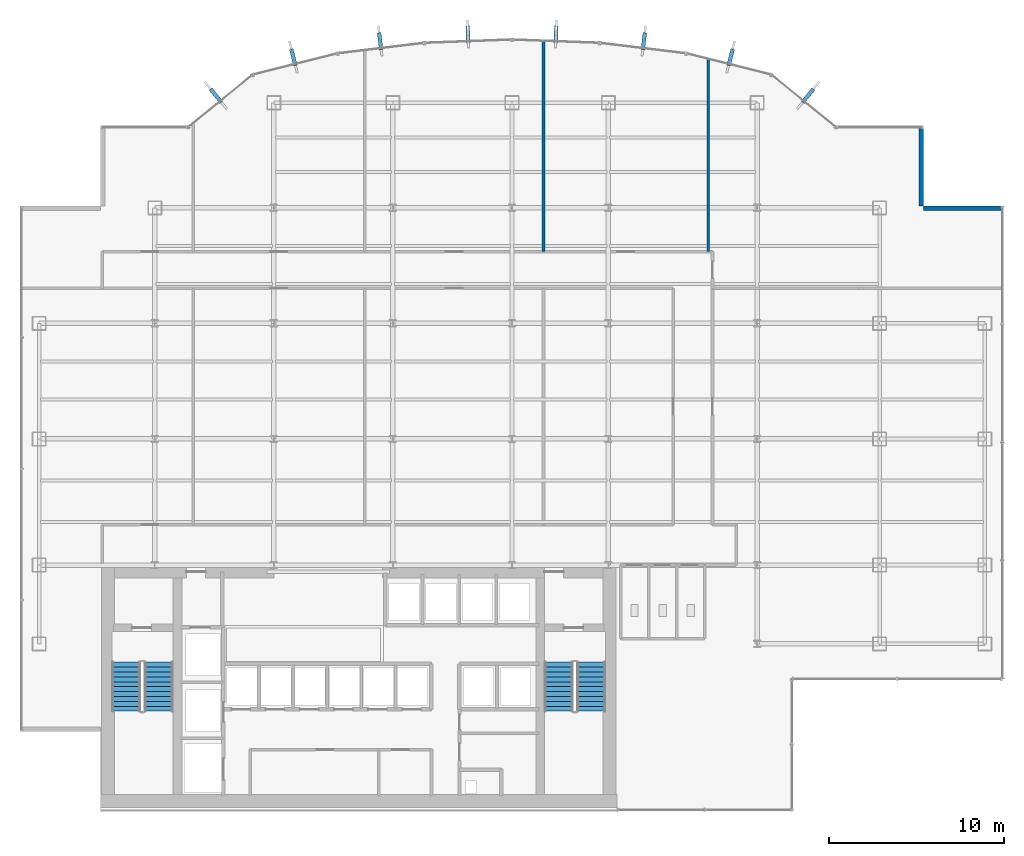
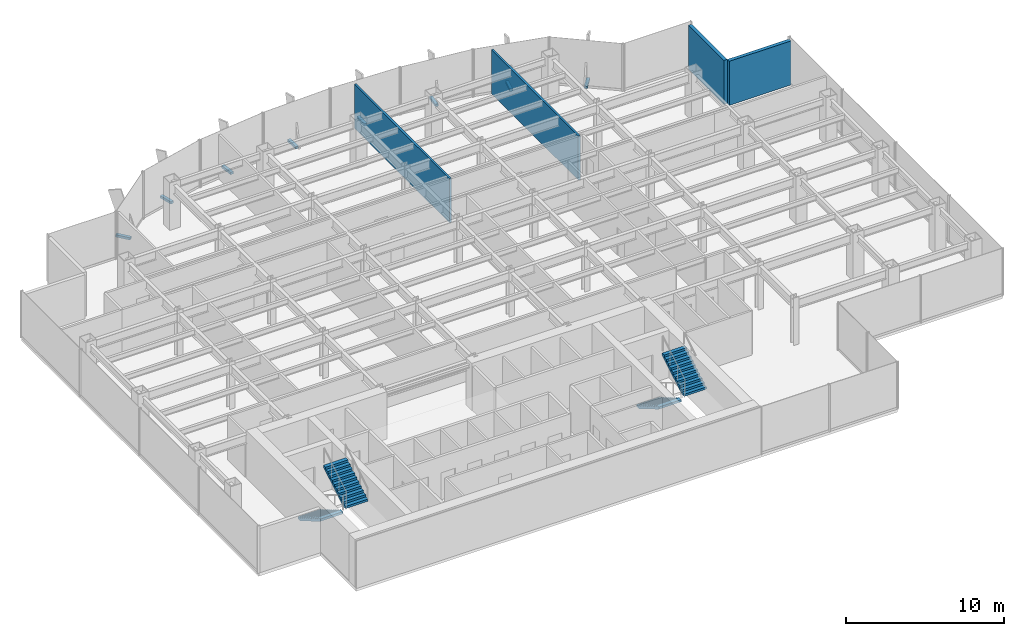
# One storey, part 23 of 26: 8 discrete accessories, 4 stair flights, 4 walls, 2 elements without a shape of their own.
"""IFC4 building model written with IfcOpenShell, lengths in metres."""

from ifc_helpers import new_model, si_unit, derived_unit, direction, frame, frame_2d, origin, origin_2d, place, context, subcontext, project, spatial, polyline, rectangle, outline, extrude, source, transform, mapped, material, layer, layer_set, type_object, element, aggregate, save


model = new_model("IFC4")

# Units and contexts
model_context = context("Model", 3, precision=1e-05, world=origin(), true_north=direction((0.0, 1.0)))
body_context = subcontext(model_context, "Body", "Model", "MODEL_VIEW")
ifc_project = project(units=[si_unit("LENGTHUNIT", "METRE"), si_unit("AREAUNIT", "SQUARE_METRE"), si_unit("VOLUMEUNIT", "CUBIC_METRE"), si_unit("PLANEANGLEUNIT", "RADIAN"), si_unit("MASSUNIT", "GRAM", prefix="KILO"), derived_unit("THERMALTRANSMITTANCEUNIT", [(si_unit("POWERUNIT", "WATT"), 1), (si_unit("LENGTHUNIT", "METRE"), -2), (si_unit("THERMODYNAMICTEMPERATUREUNIT", "KELVIN"), -1)])], contexts=[model_context])

# Site, building, storey
site_placement = place(None, origin())
site = spatial("IfcSite", under=ifc_project, at=site_placement, CompositionType="ELEMENT")
building_placement = place(site_placement, origin())
building = spatial("IfcBuilding", under=site, at=building_placement, Name="Skarnbrae Concourse Arena and Tower", CompositionType="ELEMENT")
storey_placement = place(building_placement, frame((0.0, 0.0, 121.5)))
storey = spatial("IfcBuildingStorey", under=building, at=storey_placement, Name="L30", CompositionType="ELEMENT", Elevation=121.5)

# Walls
ifc_material_1 = material(Name="Precast concrete 40 MPa (C40/50)", Category="concrete")
ifc_layer_1 = layer(ifc_material_1, 0.25)
ifc_layer_set_1 = layer_set([ifc_layer_1], Name="Precast concrete 40 MPa (C40/50)")
wall_type_1 = type_object("IfcWallType", Name="WALL-EXT-SPANDREL-250", PredefinedType="STANDARD", material=ifc_layer_set_1)
shared_shape_1 = source(origin(), body_context, "Body", "SweptSolid", [
    extrude(rectangle(XDim=4.5, YDim=0.25, at=frame_2d((2.25, 0.0))), origin(), (0.0, 0.0, 1.0), 3.39990234375),
])
for number, where, z_axis, x_axis, name in (
    (1, (56.0, 34.375, 0.0), (0.0, 0.0, 1.0), (-1.0, 0.0, 0.0), "L30 Notched corner insulated return wall 05"),
    (2, (51.375, 34.5, 0.0), (0.0, 0.0, 1.0), (0.0, 1.0, 0.0), "L30 Notched corner insulated return wall 06"),
):
    element("IfcWall", number, at=place(storey_placement, frame(where, z_axis=z_axis, x_axis=x_axis)), inside=storey, type_object=wall_type_1, Name=name, PredefinedType="STANDARD", context=body_context, shape_type="MappedRepresentation", body=[
        mapped(shared_shape_1, transform((0.0, 0.0, 0.0))),
    ])
ifc_material_2 = material(Name="Gypsum board on cold-formed steel studs", Category="steel")
ifc_layer_2 = layer(ifc_material_2, 0.14990234375)
ifc_layer_set_2 = layer_set([ifc_layer_2], Name="Gypsum board on cold-formed steel studs")
wall_type_2 = type_object("IfcWallType", Name="WALL-PART-150", PredefinedType="PARTITIONING", material=ifc_layer_set_2)
shared_shape_2 = source(origin(), body_context, "Body", "SweptSolid", [
    extrude(rectangle(XDim=12.01318359375, YDim=0.14990234375, at=frame_2d((6.006591796875, 0.0))), origin(), (0.0, 0.0, 1.0), 3.39990234375),
])
wall_1_placement = place(storey_placement, frame((29.800048828125, 43.9130859375, 0.0), z_axis=(0.0, 0.0, 1.0), x_axis=(0.0, -1.0, 0.0)))
element("IfcWall", 3, at=wall_1_placement, inside=storey, type_object=wall_type_2, Name="L30 Interior partition wall W-L30-DEM-18", PredefinedType="PARTITIONING", context=body_context, shape_type="MappedRepresentation", body=[
    mapped(shared_shape_2, transform((0.0, 0.0, 0.0))),
])
shared_shape_3 = source(origin(), body_context, "Body", "SweptSolid", [
    extrude(rectangle(XDim=10.98193359375, YDim=0.14990234375, at=frame_2d((5.490966796875, 0.0))), origin(), (0.0, 0.0, 1.0), 3.39990234375),
])
wall_2_placement = place(storey_placement, frame((39.199951171875, 42.8818359375, 0.0), z_axis=(0.0, 0.0, 1.0), x_axis=(0.0, -1.0, 0.0)))
element("IfcWall", 4, at=wall_2_placement, inside=storey, type_object=wall_type_2, Name="L30 Interior partition wall W-L30-DEM-19", PredefinedType="PARTITIONING", context=body_context, shape_type="MappedRepresentation", body=[
    mapped(shared_shape_3, transform((0.0, 0.0, 0.0))),
])

# Stair, stair flights
ifc_material_3 = material(Name="Concrete 40 MPa (C40/50)", Category="concrete")
stair_type = type_object("IfcStairType", Name="STAIR-DOGLEG-1650", PredefinedType="HALF_TURN_STAIR", material=ifc_material_3)
stair_1_placement = place(storey_placement, origin())
stair_1 = element("IfcStair", 5, at=stair_1_placement, inside=storey, type_object=stair_type, Name="L30 Protected Exit Stair ST-1", PredefinedType="HALF_TURN_STAIR")
stair_flight_type = type_object("IfcStairFlightType", Name="FLIGHT-STRAIGHT-1650", PredefinedType="STRAIGHT", material=ifc_material_3)
shared_shape_4 = source(origin(), body_context, "Body", "SweptSolid", [
    extrude(outline(polyline([(0.0, 0.0), (0.0, 0.166015625), (0.280029296875, 0.166015625), (0.280029296875, 0.331787109375), (0.56005859375, 0.331787109375), (0.56005859375, 0.497802734375), (0.840087890625, 0.497802734375), (0.840087890625, 0.66357421875), (1.1201171875, 0.66357421875), (1.1201171875, 0.82958984375), (1.39990234375, 0.82958984375), (1.39990234375, 0.995361328125), (1.679931640625, 0.995361328125), (1.679931640625, 1.161376953125), (1.9599609375, 1.161376953125), (1.9599609375, 1.327392578125), (2.239990234375, 1.327392578125), (2.239990234375, 1.4931640625), (2.52001953125, 1.4931640625), (2.52001953125, 1.6591796875), (2.800048828125, 1.6591796875), (2.800048828125, 1.824951171875), (2.800048828125, 1.48486328125), (0.2939453125, 0.0), (0.0, 0.0)])), frame((0.0, 0.824951171875, 0.0), z_axis=(0.0, -1.0, 0.0), x_axis=(1.0, 0.0, 0.0)), (0.0, 0.0, 1.0), 1.64990234375),
])
stair_flight_1_placement = place(storey_placement, frame((5.97509765625, 8.449951171875, 0.0), z_axis=(0.0, 0.0, 1.0), x_axis=(0.0, -1.0, 0.0)))
stair_flight_1 = element("IfcStairFlight", 6, at=stair_flight_1_placement, type_object=stair_flight_type, Name="ST-1 flight 1", NumberOfRisers=11, NumberOfTreads=10, PredefinedType="STRAIGHT", RiserHeight=0.165909091, TreadLength=0.28, context=body_context, shape_type="MappedRepresentation", body=[
    mapped(shared_shape_4, transform((0.0, 0.0, 0.0))),
])
stair_flight_2_placement = place(storey_placement, frame((7.824951171875, 5.64990234375, 1.824951171875), z_axis=(0.0, 0.0, 1.0), x_axis=(0.0, 1.0, 0.0)))
stair_flight_2 = element("IfcStairFlight", 7, at=stair_flight_2_placement, type_object=stair_flight_type, Name="ST-1 flight 2", NumberOfRisers=11, NumberOfTreads=10, PredefinedType="STRAIGHT", RiserHeight=0.165909091, TreadLength=0.28, context=body_context, shape_type="MappedRepresentation", body=[
    mapped(shared_shape_4, transform((0.0, 0.0, 0.0))),
])
aggregate(stair_1, [stair_flight_1, stair_flight_2])

stair_2_placement = place(storey_placement, origin())
stair_2 = element("IfcStair", 8, at=stair_2_placement, inside=storey, type_object=stair_type, Name="L30 Protected Exit Stair ST-2", PredefinedType="HALF_TURN_STAIR")
stair_flight_3_placement = place(storey_placement, frame((30.675048828125, 8.449951171875, 0.0), z_axis=(0.0, 0.0, 1.0), x_axis=(0.0, -1.0, 0.0)))
stair_flight_3 = element("IfcStairFlight", 9, at=stair_flight_3_placement, type_object=stair_flight_type, Name="ST-2 flight 1", NumberOfRisers=11, NumberOfTreads=10, PredefinedType="STRAIGHT", RiserHeight=0.165909091, TreadLength=0.28, context=body_context, shape_type="MappedRepresentation", body=[
    mapped(shared_shape_4, transform((0.0, 0.0, 0.0))),
])
stair_flight_4_placement = place(storey_placement, frame((32.52490234375, 5.64990234375, 1.824951171875), z_axis=(0.0, 0.0, 1.0), x_axis=(0.0, 1.0, 0.0)))
stair_flight_4 = element("IfcStairFlight", 10, at=stair_flight_4_placement, type_object=stair_flight_type, Name="ST-2 flight 2", NumberOfRisers=11, NumberOfTreads=10, PredefinedType="STRAIGHT", RiserHeight=0.165909091, TreadLength=0.28, context=body_context, shape_type="MappedRepresentation", body=[
    mapped(shared_shape_4, transform((0.0, 0.0, 0.0))),
])
aggregate(stair_2, [stair_flight_3, stair_flight_4])

# Discrete accessories
ifc_material_4 = material(Name="Bronze anodised aluminium 6063-T6", Category="aluminium")
discrete_accessory_type = type_object("IfcDiscreteAccessoryType", Name="ACC-FIN-BRACKET", PredefinedType="BRACKET", material=ifc_material_4)
shared_shape_5 = source(origin(), body_context, "Body", "SweptSolid", [
    extrude(rectangle(XDim=0.219970703125, YDim=0.97998046875, at=origin_2d()), origin(), (0.0, 0.0, 1.0), 0.179931640625),
])
for number, where, z_axis, x_axis, name in (
    (11, (44.90771484375, 40.80859375, -0.02978515625), (0.0, 0.0, 1.0), (0.776244501415, -0.630431974144, 0.0), "L30 Bronze fin foot support bracket 08"),
    (12, (40.485107421875, 42.992431640625, -0.02978515625), (0.0, 0.0, 1.0), (0.969901771235, -0.243496517748, 0.0), "L30 Bronze fin foot support bracket 09"),
    (13, (35.529541015625, 43.910400390625, -0.02978515625), (0.0, 0.0, 1.0), (0.992748952377, -0.120206146079, 0.0), "L30 Bronze fin foot support bracket 10"),
    (14, (30.514404296875, 44.306640625, -0.02978515625), (0.0, 0.0, 1.0), (0.999308421355, -0.037184392011, 0.0), "L30 Bronze fin foot support bracket 11"),
    (15, (25.485595703125, 44.306640625, -0.02978515625), (0.0, 0.0, 1.0), (0.999308421355, 0.037184392011, 0.0), "L30 Bronze fin foot support bracket 12"),
    (16, (20.470458984375, 43.910400390625, -0.02978515625), (0.0, 0.0, 1.0), (0.992748952377, 0.120206146079, 0.0), "L30 Bronze fin foot support bracket 13"),
    (17, (15.514892578125, 42.992431640625, -0.02978515625), (0.0, 0.0, 1.0), (0.969901771235, 0.243496517748, 0.0), "L30 Bronze fin foot support bracket 14"),
    (18, (11.09228515625, 40.80859375, -0.02978515625), (0.0, 0.0, 1.0), (0.776244501415, 0.630431974144, 0.0), "L30 Bronze fin foot support bracket 15"),
):
    element("IfcDiscreteAccessory", number, at=place(storey_placement, frame(where, z_axis=z_axis, x_axis=x_axis)), inside=storey, type_object=discrete_accessory_type, Name=name, PredefinedType="BRACKET", context=body_context, shape_type="MappedRepresentation", body=[
        mapped(shared_shape_5, transform((0.0, 0.0, 0.0))),
    ])

save(model, "model.ifc")
